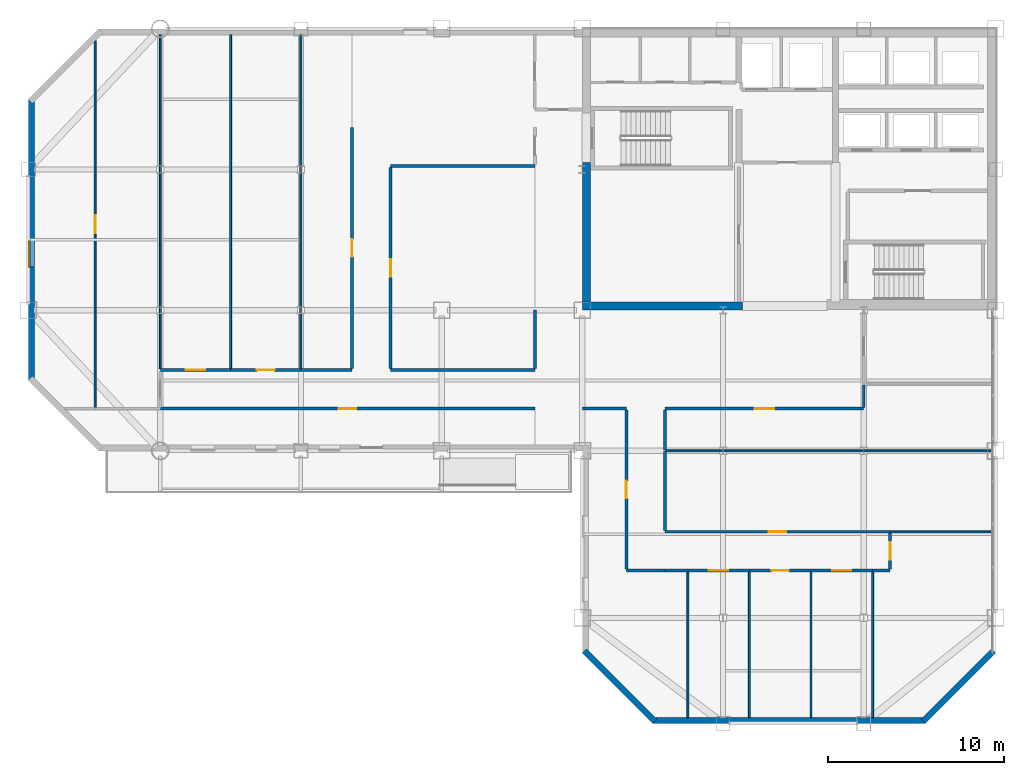
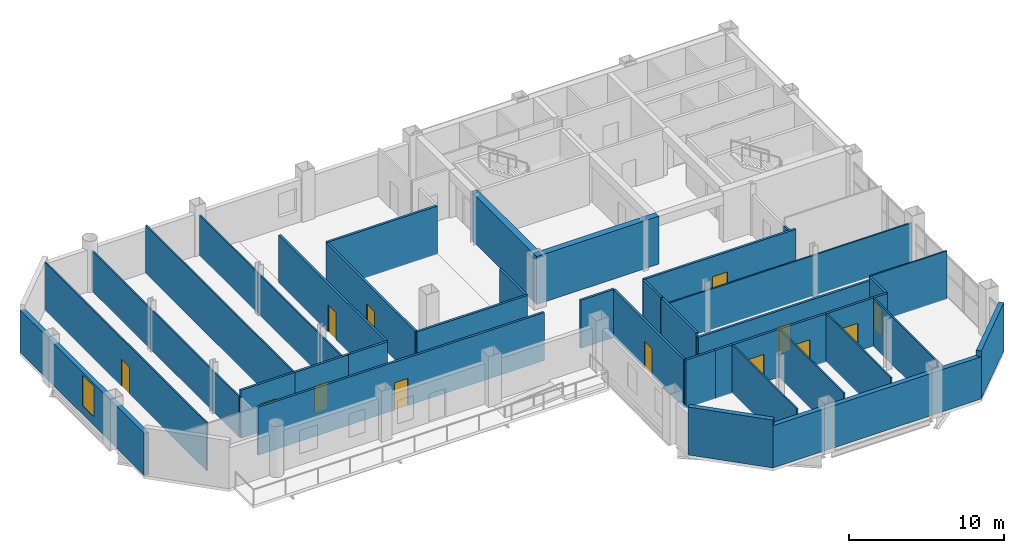
# One storey, part 8 of 12: 39 walls, 13 doors, 1 window, 14 openings.
"""IFC4 building model written with IfcOpenShell, lengths in metres."""

from ifc_helpers import new_model, si_unit, direction, frame, frame_2d, origin, place, context, subcontext, project, spatial, rectangle, extrude, material, layer, layer_set, type_object, element, fill, save


model = new_model("IFC4")

# Units and contexts
model_context = context("Model", 3, precision=1e-05, world=origin(), true_north=direction((0.0, 1.0)))
body_context = subcontext(model_context, "Body", "Model", "MODEL_VIEW")
ifc_project = project(units=[si_unit("LENGTHUNIT", "METRE"), si_unit("AREAUNIT", "SQUARE_METRE"), si_unit("VOLUMEUNIT", "CUBIC_METRE"), si_unit("PLANEANGLEUNIT", "RADIAN"), si_unit("MASSUNIT", "GRAM", prefix="KILO")], contexts=[model_context])

# Site, building, storey
site_placement = place(None, origin())
site = spatial("IfcSite", under=ifc_project, at=site_placement, CompositionType="ELEMENT")
building_placement = place(site_placement, origin())
building = spatial("IfcBuilding", under=site, at=building_placement, Name="Qianrong Seaharbour Tower", CompositionType="ELEMENT")
storey_placement = place(building_placement, frame((0.0, 0.0, 205.800048828125)))
storey = spatial("IfcBuildingStorey", under=building, at=storey_placement, Name="L49", CompositionType="ELEMENT", Elevation=205.800048828125)

# Walls
ifc_material_1 = material(Name="Concrete C60/75", Category="concrete")
ifc_layer_1 = layer(ifc_material_1, 0.4599609375)
ifc_layer_set_1 = layer_set([ifc_layer_1], Name="Concrete C60/75")
wall_type_1 = type_object("IfcWallType", Name="WALL-CORE-460", PredefinedType="SHEAR", material=ifc_layer_set_1)
wall_1_placement = place(storey_placement, frame((40.72998046875, 36.4599609375, 0.0), z_axis=(0.0, 0.0, 1.0), x_axis=(0.0, 1.0, 0.0)))
element("IfcWall", 1, at=wall_1_placement, inside=storey, type_object=wall_type_1, Name="L49 West Core Shear Wall South", PredefinedType="SHEAR", context=body_context, shape_type="SweptSolid", body=[
    extrude(rectangle(XDim=7.93994140625, YDim=0.4599609375, at=frame_2d((3.969970703125, 0.0))), origin(), (0.0, 0.0, 1.0), 3.77490234375),
])
wall_2_placement = place(storey_placement, frame((40.5, 36.22998046875, 0.0), z_axis=(0.0, 0.0, 1.0), x_axis=(1.0, 0.0, 0.0)))
element("IfcWall", 2, at=wall_2_placement, inside=storey, type_object=wall_type_1, Name="L49 South Core Shear Wall S1", PredefinedType="SHEAR", context=body_context, shape_type="SweptSolid", body=[
    extrude(rectangle(XDim=9.10009765625, YDim=0.4599609375, at=frame_2d((4.550048828125, 0.0))), origin(), (0.0, 0.0, 1.0), 3.77490234375),
])
ifc_material_2 = material(Name="Fire-rated acoustic gypsum board partition")
ifc_layer_2 = layer(ifc_material_2, 0.1650390625)
ifc_layer_set_2 = layer_set([ifc_layer_2], Name="Fire-rated acoustic gypsum board partition")
wall_type_2 = type_object("IfcWallType", Name="WALL-CORR-PART-165", PredefinedType="PARTITIONING", material=ifc_layer_set_2)
wall_3_placement = place(storey_placement, frame((29.60009765625, 32.60009765625, 0.0), z_axis=(0.0, 0.0, 1.0), x_axis=(1.0, 0.0, 0.0)))
element("IfcWall", 3, at=wall_3_placement, inside=storey, type_object=wall_type_2, Name="L49 Interior Partition Wall 013", PredefinedType="PARTITIONING", context=body_context, shape_type="SweptSolid", body=[
    extrude(rectangle(XDim=8.199951171875, YDim=0.1650390625, at=frame_2d((4.10009765625, 0.0))), origin(), (0.0, 0.0, 1.0), 3.77490234375),
])

# Wall, opening, door
wall_4_placement = place(storey_placement, frame((16.5, 32.60009765625, 0.0), z_axis=(0.0, 0.0, 1.0), x_axis=(1.0, 0.0, 0.0)))
wall_4 = element("IfcWall", 4, at=wall_4_placement, inside=storey, type_object=wall_type_2, Name="L49 Interior Partition Wall 015", PredefinedType="PARTITIONING", context=body_context, shape_type="SweptSolid", body=[
    extrude(rectangle(XDim=4.0, YDim=0.1650390625, at=frame_2d((2.0, 0.0))), origin(), (0.0, 0.0, 1.0), 3.77490234375),
])
opening_1_placement = place(wall_4_placement, frame((1.449951171875, 0.0, 0.0)))
opening_1 = element("IfcOpeningElement", 5, at=opening_1_placement, cuts=wall_4, Name="Opening DM-01", PredefinedType="OPENING", context=body_context, shape_type="SweptSolid", body=[
    extrude(rectangle(XDim=1.10009765625, YDim=2.199951171875, at=frame_2d((0.550048828125, 1.10009765625))), frame((0.0, 0.092529296875, 0.0), z_axis=(0.0, -1.0, 0.0), x_axis=(1.0, 0.0, 0.0)), (0.0, 0.0, 1.0), 0.18505859375),
])
ifc_material_3 = material(Name="Acoustic timber and galvanized steel fire door assembly", Category="steel")
door_type_1 = type_object("IfcDoorType", Name="DOOR-MEET-1100x2200", OperationType="NOTDEFINED", PredefinedType="DOOR", material=ifc_material_3)
door_1_placement = place(opening_1_placement, origin())
door_1 = element("IfcDoor", 6, at=door_1_placement, inside=storey, type_object=door_type_1, Name="L49 Meeting Room 3 Door", OperationType="SINGLE_SWING_RIGHT", OverallHeight=2.199951171875, OverallWidth=1.10009765625, PredefinedType="DOOR", context=body_context, shape_type="SweptSolid", body=[
    extrude(rectangle(XDim=1.10009765625, YDim=2.199951171875, at=frame_2d((0.550048828125, 1.10009765625))), frame((0.0, 0.02490234375, 0.0), z_axis=(0.0, -1.0, 0.0), x_axis=(1.0, 0.0, 0.0)), (0.0, 0.0, 1.0), 0.050048828125),
])
fill(opening_1, door_1)

wall_5_placement = place(storey_placement, frame((20.5, 32.60009765625, 0.0), z_axis=(0.0, 0.0, 1.0), x_axis=(1.0, 0.0, 0.0)))
wall_5 = element("IfcWall", 7, at=wall_5_placement, inside=storey, type_object=wall_type_2, Name="L49 Interior Partition Wall 016", PredefinedType="PARTITIONING", context=body_context, shape_type="SweptSolid", body=[
    extrude(rectangle(XDim=4.0, YDim=0.1650390625, at=frame_2d((2.0, 0.0))), origin(), (0.0, 0.0, 1.0), 3.77490234375),
])
opening_2_placement = place(wall_5_placement, frame((1.5, 0.0, 0.0)))
opening_2 = element("IfcOpeningElement", 8, at=opening_2_placement, cuts=wall_5, Name="Opening DO-01", PredefinedType="OPENING", context=body_context, shape_type="SweptSolid", body=[
    extrude(rectangle(XDim=1.0, YDim=2.14990234375, at=frame_2d((0.5, 1.074951171875))), frame((0.0, 0.092529296875, 0.0), z_axis=(0.0, -1.0, 0.0), x_axis=(1.0, 0.0, 0.0)), (0.0, 0.0, 1.0), 0.18505859375),
])
door_type_2 = type_object("IfcDoorType", Name="DOOR-OFFICE-1000x2150", OperationType="NOTDEFINED", PredefinedType="DOOR", material=ifc_material_3)
door_2_placement = place(opening_2_placement, origin())
door_2 = element("IfcDoor", 9, at=door_2_placement, inside=storey, type_object=door_type_2, Name="L49 Executive Office 4 Door", OperationType="SINGLE_SWING_LEFT", OverallHeight=2.14990234375, OverallWidth=1.0, PredefinedType="DOOR", context=body_context, shape_type="SweptSolid", body=[
    extrude(rectangle(XDim=1.0, YDim=2.14990234375, at=frame_2d((0.5, 1.074951171875))), frame((0.0, 0.02490234375, 0.0), z_axis=(0.0, -1.0, 0.0), x_axis=(1.0, 0.0, 0.0)), (0.0, 0.0, 1.0), 0.050048828125),
])
fill(opening_2, door_2)

# Wall
wall_6_placement = place(storey_placement, frame((24.5, 32.60009765625, 0.0), z_axis=(0.0, 0.0, 1.0), x_axis=(1.0, 0.0, 0.0)))
element("IfcWall", 10, at=wall_6_placement, inside=storey, type_object=wall_type_2, Name="L49 Interior Partition Wall 017", PredefinedType="PARTITIONING", context=body_context, shape_type="SweptSolid", body=[
    extrude(rectangle(XDim=2.89990234375, YDim=0.1650390625, at=frame_2d((1.449951171875, 0.0))), origin(), (0.0, 0.0, 1.0), 3.77490234375),
])

# Wall, opening, door
wall_7_placement = place(storey_placement, frame((37.800048828125, 30.39990234375, 0.0), z_axis=(0.0, 0.0, 1.0), x_axis=(-1.0, 0.0, 0.0)))
wall_7 = element("IfcWall", 11, at=wall_7_placement, inside=storey, type_object=wall_type_2, Name="L49 Interior Partition Wall 018", PredefinedType="PARTITIONING", context=body_context, shape_type="SweptSolid", body=[
    extrude(rectangle(XDim=21.300048828125, YDim=0.1650390625, at=frame_2d((10.64990234375, 0.0))), origin(), (0.0, 0.0, 1.0), 3.77490234375),
])
opening_3_placement = place(wall_7_placement, frame((10.14990234375, 0.0, 0.0)))
opening_3 = element("IfcOpeningElement", 12, at=opening_3_placement, cuts=wall_7, Name="Opening DO-01", PredefinedType="OPENING", context=body_context, shape_type="SweptSolid", body=[
    extrude(rectangle(XDim=1.0, YDim=2.14990234375, at=frame_2d((0.5, 1.074951171875))), frame((0.0, 0.092529296875, 0.0), z_axis=(0.0, -1.0, 0.0), x_axis=(1.0, 0.0, 0.0)), (0.0, 0.0, 1.0), 0.18505859375),
])
door_3_placement = place(opening_3_placement, origin())
door_3 = element("IfcDoor", 13, at=door_3_placement, inside=storey, type_object=door_type_2, Name="L49 Executive Office 1 Door", OperationType="SINGLE_SWING_RIGHT", OverallHeight=2.14990234375, OverallWidth=1.0, PredefinedType="DOOR", context=body_context, shape_type="SweptSolid", body=[
    extrude(rectangle(XDim=1.0, YDim=2.14990234375, at=frame_2d((0.5, 1.074951171875))), frame((0.0, 0.02490234375, 0.0), z_axis=(0.0, -1.0, 0.0), x_axis=(1.0, 0.0, 0.0)), (0.0, 0.0, 1.0), 0.050048828125),
])
fill(opening_3, door_3)

wall_8_placement = place(storey_placement, frame((29.60009765625, 44.12548828125, 0.0), z_axis=(0.0, 0.0, 1.0), x_axis=(0.0, -1.0, 0.0)))
wall_8 = element("IfcWall", 14, at=wall_8_placement, inside=storey, type_object=wall_type_2, Name="L49 Interior Partition Wall 019", PredefinedType="PARTITIONING", context=body_context, shape_type="SweptSolid", body=[
    extrude(rectangle(XDim=11.450927734375, YDim=0.1650390625, at=frame_2d((5.7255859375, 0.0))), origin(), (0.0, 0.0, 1.0), 3.77490234375),
])
opening_4_placement = place(wall_8_placement, frame((5.2255859375, 0.0, 0.0)))
opening_4 = element("IfcOpeningElement", 15, at=opening_4_placement, cuts=wall_8, Name="Opening DO-01", PredefinedType="OPENING", context=body_context, shape_type="SweptSolid", body=[
    extrude(rectangle(XDim=1.0, YDim=2.14990234375, at=frame_2d((0.5, 1.074951171875))), frame((0.0, 0.092529296875, 0.0), z_axis=(0.0, -1.0, 0.0), x_axis=(1.0, 0.0, 0.0)), (0.0, 0.0, 1.0), 0.18505859375),
])
door_4_placement = place(opening_4_placement, origin())
door_4 = element("IfcDoor", 16, at=door_4_placement, inside=storey, type_object=door_type_2, Name="L49 Open-Plan Office Door", OperationType="SINGLE_SWING_LEFT", OverallHeight=2.14990234375, OverallWidth=1.0, PredefinedType="DOOR", context=body_context, shape_type="SweptSolid", body=[
    extrude(rectangle(XDim=1.0, YDim=2.14990234375, at=frame_2d((0.5, 1.074951171875))), frame((0.0, 0.02490234375, 0.0), z_axis=(0.0, -1.0, 0.0), x_axis=(1.0, 0.0, 0.0)), (0.0, 0.0, 1.0), 0.050048828125),
])
fill(opening_4, door_4)

wall_9_placement = place(storey_placement, frame((27.39990234375, 32.674560546875, 0.0), z_axis=(0.0, 0.0, 1.0), x_axis=(0.0, 1.0, 0.0)))
wall_9 = element("IfcWall", 17, at=wall_9_placement, inside=storey, type_object=wall_type_2, Name="L49 Interior Partition Wall 020", PredefinedType="PARTITIONING", context=body_context, shape_type="SweptSolid", body=[
    extrude(rectangle(XDim=13.725341796875, YDim=0.1650390625, at=frame_2d((6.86279296875, 0.0))), origin(), (0.0, 0.0, 1.0), 3.77490234375),
])
opening_5_placement = place(wall_9_placement, frame((6.36279296875, 0.0, 0.0)))
opening_5 = element("IfcOpeningElement", 18, at=opening_5_placement, cuts=wall_9, Name="Opening DO-01", PredefinedType="OPENING", context=body_context, shape_type="SweptSolid", body=[
    extrude(rectangle(XDim=1.0, YDim=2.14990234375, at=frame_2d((0.5, 1.074951171875))), frame((0.0, 0.092529296875, 0.0), z_axis=(0.0, -1.0, 0.0), x_axis=(1.0, 0.0, 0.0)), (0.0, 0.0, 1.0), 0.18505859375),
])
door_5_placement = place(opening_5_placement, origin())
door_5 = element("IfcDoor", 19, at=door_5_placement, inside=storey, type_object=door_type_2, Name="L49 Executive Office 5 Door", OperationType="SINGLE_SWING_RIGHT", OverallHeight=2.14990234375, OverallWidth=1.0, PredefinedType="DOOR", context=body_context, shape_type="SweptSolid", body=[
    extrude(rectangle(XDim=1.0, YDim=2.14990234375, at=frame_2d((0.5, 1.074951171875))), frame((0.0, 0.02490234375, 0.0), z_axis=(0.0, -1.0, 0.0), x_axis=(1.0, 0.0, 0.0)), (0.0, 0.0, 1.0), 0.050048828125),
])
fill(opening_5, door_5)

# Walls
wall_10_placement = place(storey_placement, frame((37.800048828125, 44.199951171875, 0.0), z_axis=(0.0, 0.0, 1.0), x_axis=(-1.0, 0.0, 0.0)))
element("IfcWall", 20, at=wall_10_placement, inside=storey, type_object=wall_type_2, Name="L49 Interior Partition Wall 021", PredefinedType="PARTITIONING", context=body_context, shape_type="SweptSolid", body=[
    extrude(rectangle(XDim=8.199951171875, YDim=0.1650390625, at=frame_2d((4.10009765625, 0.0))), origin(), (0.0, 0.0, 1.0), 3.77490234375),
])
wall_11_placement = place(storey_placement, frame((37.800048828125, 32.674560546875, 0.0), z_axis=(0.0, 0.0, 1.0), x_axis=(0.0, 1.0, 0.0)))
element("IfcWall", 21, at=wall_11_placement, inside=storey, type_object=wall_type_2, Name="L49 Interior Partition Wall 022", PredefinedType="PARTITIONING", context=body_context, shape_type="SweptSolid", body=[
    extrude(rectangle(XDim=3.325439453125, YDim=0.1650390625, at=frame_2d((1.66259765625, 0.0))), origin(), (0.0, 0.0, 1.0), 3.77490234375),
])
wall_12_placement = place(storey_placement, frame((56.5, 31.7529296875, 0.0), z_axis=(0.0, 0.0, 1.0), x_axis=(0.0, -1.0, 0.0)))
element("IfcWall", 22, at=wall_12_placement, inside=storey, type_object=wall_type_2, Name="L49 Interior Partition Wall 023", PredefinedType="PARTITIONING", context=body_context, shape_type="SweptSolid", body=[
    extrude(rectangle(XDim=1.2783203125, YDim=0.1650390625, at=frame_2d((0.63916015625, 0.0))), origin(), (0.0, 0.0, 1.0), 3.178955078125),
])

# Wall, opening, door
wall_13_placement = place(storey_placement, frame((56.5, 30.39990234375, 0.0), z_axis=(0.0, 0.0, 1.0), x_axis=(-1.0, 0.0, 0.0)))
wall_13 = element("IfcWall", 23, at=wall_13_placement, inside=storey, type_object=wall_type_2, Name="L49 Interior Partition Wall 024", PredefinedType="PARTITIONING", context=body_context, shape_type="SweptSolid", body=[
    extrude(rectangle(XDim=11.300048828125, YDim=0.1650390625, at=frame_2d((5.64990234375, 0.0))), origin(), (0.0, 0.0, 1.0), 3.77490234375),
])
opening_6_placement = place(wall_13_placement, frame((5.10009765625, 0.0, 0.0)))
opening_6 = element("IfcOpeningElement", 24, at=opening_6_placement, cuts=wall_13, Name="Opening DM-01", PredefinedType="OPENING", context=body_context, shape_type="SweptSolid", body=[
    extrude(rectangle(XDim=1.10009765625, YDim=2.199951171875, at=frame_2d((0.550048828125, 1.10009765625))), frame((0.0, 0.092529296875, 0.0), z_axis=(0.0, -1.0, 0.0), x_axis=(1.0, 0.0, 0.0)), (0.0, 0.0, 1.0), 0.18505859375),
])
door_6_placement = place(opening_6_placement, origin())
door_6 = element("IfcDoor", 25, at=door_6_placement, inside=storey, type_object=door_type_1, Name="L49 Boardroom 2 Door", OperationType="SINGLE_SWING_RIGHT", OverallHeight=2.199951171875, OverallWidth=1.10009765625, PredefinedType="DOOR", context=body_context, shape_type="SweptSolid", body=[
    extrude(rectangle(XDim=1.10009765625, YDim=2.199951171875, at=frame_2d((0.550048828125, 1.10009765625))), frame((0.0, 0.02490234375, 0.0), z_axis=(0.0, -1.0, 0.0), x_axis=(1.0, 0.0, 0.0)), (0.0, 0.0, 1.0), 0.050048828125),
])
fill(opening_6, door_6)

# Walls
wall_14_placement = place(storey_placement, frame((43.0, 30.39990234375, 0.0), z_axis=(0.0, 0.0, 1.0), x_axis=(-1.0, 0.0, 0.0)))
element("IfcWall", 26, at=wall_14_placement, inside=storey, type_object=wall_type_2, Name="L49 Interior Partition Wall 026", PredefinedType="PARTITIONING", context=body_context, shape_type="SweptSolid", body=[
    extrude(rectangle(XDim=2.5, YDim=0.1650390625, at=frame_2d((1.25, 0.0))), origin(), (0.0, 0.0, 1.0), 3.77490234375),
])
wall_15_placement = place(storey_placement, frame((45.199951171875, 27.952880859375, 0.0), z_axis=(0.0, 0.0, 1.0), x_axis=(0.0, -1.0, 0.0)))
element("IfcWall", 27, at=wall_15_placement, inside=storey, type_object=wall_type_2, Name="L49 Interior Partition Wall 027", PredefinedType="PARTITIONING", context=body_context, shape_type="SweptSolid", body=[
    extrude(rectangle(XDim=4.478271484375, YDim=0.1650390625, at=frame_2d((2.2392578125, 0.0))), origin(), (0.0, 0.0, 1.0), 3.77490234375),
])
wall_16_placement = place(storey_placement, frame((45.199951171875, 30.325439453125, 0.0), z_axis=(0.0, 0.0, 1.0), x_axis=(0.0, -1.0, 0.0)))
element("IfcWall", 28, at=wall_16_placement, inside=storey, type_object=wall_type_2, Name="L49 Interior Partition Wall 028", PredefinedType="PARTITIONING", context=body_context, shape_type="SweptSolid", body=[
    extrude(rectangle(XDim=2.2783203125, YDim=0.1650390625, at=frame_2d((1.13916015625, 0.0))), origin(), (0.0, 0.0, 1.0), 3.77490234375),
])
wall_17_placement = place(storey_placement, frame((45.199951171875, 21.199951171875, 0.0), z_axis=(0.0, 0.0, 1.0), x_axis=(-1.0, 0.0, 0.0)))
element("IfcWall", 29, at=wall_17_placement, inside=storey, type_object=wall_type_2, Name="L49 Interior Partition Wall 029", PredefinedType="PARTITIONING", context=body_context, shape_type="SweptSolid", body=[
    extrude(rectangle(XDim=2.199951171875, YDim=0.1650390625, at=frame_2d((1.10009765625, 0.0))), origin(), (0.0, 0.0, 1.0), 3.77490234375),
])

# Wall, opening, door
wall_18_placement = place(storey_placement, frame((43.0, 21.2744140625, 0.0), z_axis=(0.0, 0.0, 1.0), x_axis=(0.0, 1.0, 0.0)))
wall_18 = element("IfcWall", 30, at=wall_18_placement, inside=storey, type_object=wall_type_2, Name="L49 Interior Partition Wall 030", PredefinedType="PARTITIONING", context=body_context, shape_type="SweptSolid", body=[
    extrude(rectangle(XDim=9.051025390625, YDim=0.1650390625, at=frame_2d((4.525390625, 0.0))), origin(), (0.0, 0.0, 1.0), 3.77490234375),
])
opening_7_placement = place(wall_18_placement, frame((4.025390625, 0.0, 0.0)))
opening_7 = element("IfcOpeningElement", 31, at=opening_7_placement, cuts=wall_18, Name="Opening DO-01", PredefinedType="OPENING", context=body_context, shape_type="SweptSolid", body=[
    extrude(rectangle(XDim=1.0, YDim=2.14990234375, at=frame_2d((0.5, 1.074951171875))), frame((0.0, 0.092529296875, 0.0), z_axis=(0.0, -1.0, 0.0), x_axis=(1.0, 0.0, 0.0)), (0.0, 0.0, 1.0), 0.18505859375),
])
door_7_placement = place(opening_7_placement, origin())
door_7 = element("IfcDoor", 32, at=door_7_placement, inside=storey, type_object=door_type_2, Name="L49 Executive Office 1 Door", OperationType="SINGLE_SWING_LEFT", OverallHeight=2.14990234375, OverallWidth=1.0, PredefinedType="DOOR", context=body_context, shape_type="SweptSolid", body=[
    extrude(rectangle(XDim=1.0, YDim=2.14990234375, at=frame_2d((0.5, 1.074951171875))), frame((0.0, 0.02490234375, 0.0), z_axis=(0.0, -1.0, 0.0), x_axis=(1.0, 0.0, 0.0)), (0.0, 0.0, 1.0), 0.050048828125),
])
fill(opening_7, door_7)

wall_19_placement = place(storey_placement, frame((45.199951171875, 23.39990234375, 0.0), z_axis=(0.0, 0.0, 1.0), x_axis=(1.0, 0.0, 0.0)))
wall_19 = element("IfcWall", 33, at=wall_19_placement, inside=storey, type_object=wall_type_2, Name="L49 Interior Partition Wall 031", PredefinedType="PARTITIONING", context=body_context, shape_type="SweptSolid", body=[
    extrude(rectangle(XDim=12.800048828125, YDim=0.1650390625, at=frame_2d((6.39990234375, 0.0))), origin(), (0.0, 0.0, 1.0), 3.467041015625),
])
opening_8_placement = place(wall_19_placement, frame((5.89990234375, 0.0, 0.0)))
opening_8 = element("IfcOpeningElement", 34, at=opening_8_placement, cuts=wall_19, Name="Opening DO-01", PredefinedType="OPENING", context=body_context, shape_type="SweptSolid", body=[
    extrude(rectangle(XDim=1.0, YDim=2.14990234375, at=frame_2d((0.5, 1.074951171875))), frame((0.0, 0.092529296875, 0.0), z_axis=(0.0, -1.0, 0.0), x_axis=(1.0, 0.0, 0.0)), (0.0, 0.0, 1.0), 0.18505859375),
])
door_8_placement = place(opening_8_placement, origin())
door_8 = element("IfcDoor", 35, at=door_8_placement, inside=storey, type_object=door_type_2, Name="L49 Executive Office 1 Door", OperationType="SINGLE_SWING_LEFT", OverallHeight=2.14990234375, OverallWidth=1.0, PredefinedType="DOOR", context=body_context, shape_type="SweptSolid", body=[
    extrude(rectangle(XDim=1.0, YDim=2.14990234375, at=frame_2d((0.5, 1.074951171875))), frame((0.0, 0.02490234375, 0.0), z_axis=(0.0, -1.0, 0.0), x_axis=(1.0, 0.0, 0.0)), (0.0, 0.0, 1.0), 0.050048828125),
])
fill(opening_8, door_8)

# Wall
wall_20_placement = place(storey_placement, frame((46.5, 21.199951171875, 0.0), z_axis=(0.0, 0.0, 1.0), x_axis=(-1.0, 0.0, 0.0)))
element("IfcWall", 36, at=wall_20_placement, inside=storey, type_object=wall_type_2, Name="L49 Interior Partition Wall 032", PredefinedType="PARTITIONING", context=body_context, shape_type="SweptSolid", body=[
    extrude(rectangle(XDim=1.300048828125, YDim=0.1650390625, at=frame_2d((0.64990234375, 0.0))), origin(), (0.0, 0.0, 1.0), 3.77490234375),
])

# Wall, opening, door
wall_21_placement = place(storey_placement, frame((50.0, 21.199951171875, 0.0), z_axis=(0.0, 0.0, 1.0), x_axis=(-1.0, 0.0, 0.0)))
wall_21 = element("IfcWall", 37, at=wall_21_placement, inside=storey, type_object=wall_type_2, Name="L49 Interior Partition Wall 033", PredefinedType="PARTITIONING", context=body_context, shape_type="SweptSolid", body=[
    extrude(rectangle(XDim=3.5, YDim=0.1650390625, at=frame_2d((1.75, 0.0))), origin(), (0.0, 0.0, 1.0), 3.77490234375),
])
opening_9_placement = place(wall_21_placement, frame((1.199951171875, 0.0, 0.0)))
opening_9 = element("IfcOpeningElement", 38, at=opening_9_placement, cuts=wall_21, Name="Opening DM-01", PredefinedType="OPENING", context=body_context, shape_type="SweptSolid", body=[
    extrude(rectangle(XDim=1.10009765625, YDim=2.199951171875, at=frame_2d((0.550048828125, 1.10009765625))), frame((0.0, 0.092529296875, 0.0), z_axis=(0.0, -1.0, 0.0), x_axis=(1.0, 0.0, 0.0)), (0.0, 0.0, 1.0), 0.18505859375),
])
door_9_placement = place(opening_9_placement, origin())
door_9 = element("IfcDoor", 39, at=door_9_placement, inside=storey, type_object=door_type_1, Name="L49 Meeting Room 2 Door", OperationType="SINGLE_SWING_RIGHT", OverallHeight=2.199951171875, OverallWidth=1.10009765625, PredefinedType="DOOR", context=body_context, shape_type="SweptSolid", body=[
    extrude(rectangle(XDim=1.10009765625, YDim=2.199951171875, at=frame_2d((0.550048828125, 1.10009765625))), frame((0.0, 0.02490234375, 0.0), z_axis=(0.0, -1.0, 0.0), x_axis=(1.0, 0.0, 0.0)), (0.0, 0.0, 1.0), 0.050048828125),
])
fill(opening_9, door_9)

wall_22_placement = place(storey_placement, frame((53.5, 21.199951171875, 0.0), z_axis=(0.0, 0.0, 1.0), x_axis=(-1.0, 0.0, 0.0)))
wall_22 = element("IfcWall", 40, at=wall_22_placement, inside=storey, type_object=wall_type_2, Name="L49 Interior Partition Wall 034", PredefinedType="PARTITIONING", context=body_context, shape_type="SweptSolid", body=[
    extrude(rectangle(XDim=3.5, YDim=0.1650390625, at=frame_2d((1.75, 0.0))), origin(), (0.0, 0.0, 1.0), 3.77490234375),
])
opening_10_placement = place(wall_22_placement, frame((1.25, 0.0, 0.0)))
opening_10 = element("IfcOpeningElement", 41, at=opening_10_placement, cuts=wall_22, Name="Opening DO-01", PredefinedType="OPENING", context=body_context, shape_type="SweptSolid", body=[
    extrude(rectangle(XDim=1.0, YDim=2.14990234375, at=frame_2d((0.5, 1.074951171875))), frame((0.0, 0.092529296875, 0.0), z_axis=(0.0, -1.0, 0.0), x_axis=(1.0, 0.0, 0.0)), (0.0, 0.0, 1.0), 0.18505859375),
])
door_10_placement = place(opening_10_placement, origin())
door_10 = element("IfcDoor", 42, at=door_10_placement, inside=storey, type_object=door_type_2, Name="L49 Executive Office 3 Door", OperationType="SINGLE_SWING_LEFT", OverallHeight=2.14990234375, OverallWidth=1.0, PredefinedType="DOOR", context=body_context, shape_type="SweptSolid", body=[
    extrude(rectangle(XDim=1.0, YDim=2.14990234375, at=frame_2d((0.5, 1.074951171875))), frame((0.0, 0.02490234375, 0.0), z_axis=(0.0, -1.0, 0.0), x_axis=(1.0, 0.0, 0.0)), (0.0, 0.0, 1.0), 0.050048828125),
])
fill(opening_10, door_10)

wall_23_placement = place(storey_placement, frame((57.0, 21.199951171875, 0.0), z_axis=(0.0, 0.0, 1.0), x_axis=(-1.0, 0.0, 0.0)))
wall_23 = element("IfcWall", 43, at=wall_23_placement, inside=storey, type_object=wall_type_2, Name="L49 Interior Partition Wall 035", PredefinedType="PARTITIONING", context=body_context, shape_type="SweptSolid", body=[
    extrude(rectangle(XDim=3.5, YDim=0.1650390625, at=frame_2d((1.75, 0.0))), origin(), (0.0, 0.0, 1.0), 3.77490234375),
])
opening_11_placement = place(wall_23_placement, frame((1.199951171875, 0.0, 0.0)))
opening_11 = element("IfcOpeningElement", 44, at=opening_11_placement, cuts=wall_23, Name="Opening DM-01", PredefinedType="OPENING", context=body_context, shape_type="SweptSolid", body=[
    extrude(rectangle(XDim=1.10009765625, YDim=2.199951171875, at=frame_2d((0.550048828125, 1.10009765625))), frame((0.0, 0.092529296875, 0.0), z_axis=(0.0, -1.0, 0.0), x_axis=(1.0, 0.0, 0.0)), (0.0, 0.0, 1.0), 0.18505859375),
])
door_11_placement = place(opening_11_placement, origin())
door_11 = element("IfcDoor", 45, at=door_11_placement, inside=storey, type_object=door_type_1, Name="L49 Meeting Room 4 Door", OperationType="SINGLE_SWING_RIGHT", OverallHeight=2.199951171875, OverallWidth=1.10009765625, PredefinedType="DOOR", context=body_context, shape_type="SweptSolid", body=[
    extrude(rectangle(XDim=1.10009765625, YDim=2.199951171875, at=frame_2d((0.550048828125, 1.10009765625))), frame((0.0, 0.02490234375, 0.0), z_axis=(0.0, -1.0, 0.0), x_axis=(1.0, 0.0, 0.0)), (0.0, 0.0, 1.0), 0.050048828125),
])
fill(opening_11, door_11)

wall_24_placement = place(storey_placement, frame((58.0, 23.325439453125, 0.0), z_axis=(0.0, 0.0, 1.0), x_axis=(0.0, -1.0, 0.0)))
wall_24 = element("IfcWall", 46, at=wall_24_placement, inside=storey, type_object=wall_type_2, Name="L49 Interior Partition Wall 036", PredefinedType="PARTITIONING", context=body_context, shape_type="SweptSolid", body=[
    extrude(rectangle(XDim=2.051025390625, YDim=0.1650390625, at=frame_2d((1.025390625, 0.0))), origin(), (0.0, 0.0, 1.0), 3.77490234375),
])
opening_12_placement = place(wall_24_placement, frame((0.525390625, 0.0, 0.0)))
opening_12 = element("IfcOpeningElement", 47, at=opening_12_placement, cuts=wall_24, Name="Opening DO-01", PredefinedType="OPENING", context=body_context, shape_type="SweptSolid", body=[
    extrude(rectangle(XDim=1.0, YDim=2.14990234375, at=frame_2d((0.5, 1.074951171875))), frame((0.0, 0.092529296875, 0.0), z_axis=(0.0, -1.0, 0.0), x_axis=(1.0, 0.0, 0.0)), (0.0, 0.0, 1.0), 0.18505859375),
])
door_12_placement = place(opening_12_placement, origin())
door_12 = element("IfcDoor", 48, at=door_12_placement, inside=storey, type_object=door_type_2, Name="L49 Executive Office 5 Door", OperationType="SINGLE_SWING_LEFT", OverallHeight=2.14990234375, OverallWidth=1.0, PredefinedType="DOOR", context=body_context, shape_type="SweptSolid", body=[
    extrude(rectangle(XDim=1.0, YDim=2.14990234375, at=frame_2d((0.5, 1.074951171875))), frame((0.0, 0.02490234375, 0.0), z_axis=(0.0, -1.0, 0.0), x_axis=(1.0, 0.0, 0.0)), (0.0, 0.0, 1.0), 0.050048828125),
])
fill(opening_12, door_12)

# Wall
wall_25_placement = place(storey_placement, frame((58.0, 21.199951171875, 0.0), z_axis=(0.0, 0.0, 1.0), x_axis=(-1.0, 0.0, 0.0)))
element("IfcWall", 49, at=wall_25_placement, inside=storey, type_object=wall_type_2, Name="L49 Interior Partition Wall 037", PredefinedType="PARTITIONING", context=body_context, shape_type="SweptSolid", body=[
    extrude(rectangle(XDim=1.0, YDim=0.1650390625, at=frame_2d((0.5, 0.0))), origin(), (0.0, 0.0, 1.0), 3.77490234375),
])

# Wall, opening, door
ifc_material_4 = material(Name="Demountable aluminium-framed acoustic office partition", Category="aluminium")
ifc_layer_3 = layer(ifc_material_4, 0.110107421875)
ifc_layer_set_3 = layer_set([ifc_layer_3], Name="Demountable aluminium-framed acoustic office partition")
wall_type_3 = type_object("IfcWallType", Name="WALL-DEMOUNT-110", PredefinedType="MOVABLE", material=ifc_layer_set_3)
wall_26_placement = place(storey_placement, frame((12.800048828125, 51.33056640625, 0.0), z_axis=(0.0, 0.0, 1.0), x_axis=(0.0, -1.0, 0.0)))
wall_26 = element("IfcWall", 50, at=wall_26_placement, inside=storey, type_object=wall_type_3, Name="L49 Interior Partition Wall 038", PredefinedType="MOVABLE", context=body_context, shape_type="SweptSolid", body=[
    extrude(rectangle(XDim=20.883544921875, YDim=0.110107421875, at=frame_2d((10.44189453125, 0.0))), origin(), (0.0, 0.0, 1.0), 3.77490234375),
])
opening_13_placement = place(wall_26_placement, frame((9.94189453125, 0.0, 0.0)))
opening_13 = element("IfcOpeningElement", 51, at=opening_13_placement, cuts=wall_26, Name="Opening DO-01", PredefinedType="OPENING", context=body_context, shape_type="SweptSolid", body=[
    extrude(rectangle(XDim=1.0, YDim=2.14990234375, at=frame_2d((0.5, 1.074951171875))), frame((0.0, 0.06494140625, 0.0), z_axis=(0.0, -1.0, 0.0), x_axis=(1.0, 0.0, 0.0)), (0.0, 0.0, 1.0), 0.130126953125),
])
door_13_placement = place(opening_13_placement, origin())
door_13 = element("IfcDoor", 52, at=door_13_placement, inside=storey, type_object=door_type_2, Name="L49 Executive Office 1 Door", OperationType="SINGLE_SWING_RIGHT", OverallHeight=2.14990234375, OverallWidth=1.0, PredefinedType="DOOR", context=body_context, shape_type="SweptSolid", body=[
    extrude(rectangle(XDim=1.0, YDim=2.14990234375, at=frame_2d((0.5, 1.074951171875))), frame((0.0, 0.02490234375, 0.0), z_axis=(0.0, -1.0, 0.0), x_axis=(1.0, 0.0, 0.0)), (0.0, 0.0, 1.0), 0.050048828125),
])
fill(opening_13, door_13)

# Walls
wall_27_placement = place(storey_placement, frame((16.5, 51.66796875, 0.0), z_axis=(0.0, 0.0, 1.0), x_axis=(0.0, -1.0, 0.0)))
element("IfcWall", 53, at=wall_27_placement, inside=storey, type_object=wall_type_3, Name="L49 Interior Partition Wall 040", PredefinedType="MOVABLE", context=body_context, shape_type="SweptSolid", body=[
    extrude(rectangle(XDim=18.993408203125, YDim=0.110107421875, at=frame_2d((9.49658203125, 0.0))), origin(), (0.0, 0.0, 1.0), 3.178955078125),
])
wall_28_placement = place(storey_placement, frame((20.5, 51.66796875, 0.0), z_axis=(0.0, 0.0, 1.0), x_axis=(0.0, -1.0, 0.0)))
element("IfcWall", 54, at=wall_28_placement, inside=storey, type_object=wall_type_3, Name="L49 Interior Partition Wall 042", PredefinedType="MOVABLE", context=body_context, shape_type="SweptSolid", body=[
    extrude(rectangle(XDim=18.993408203125, YDim=0.110107421875, at=frame_2d((9.49658203125, 0.0))), origin(), (0.0, 0.0, 1.0), 3.77490234375),
])
wall_29_placement = place(storey_placement, frame((24.5, 51.66796875, 0.0), z_axis=(0.0, 0.0, 1.0), x_axis=(0.0, -1.0, 0.0)))
element("IfcWall", 55, at=wall_29_placement, inside=storey, type_object=wall_type_3, Name="L49 Interior Partition Wall 043", PredefinedType="MOVABLE", context=body_context, shape_type="SweptSolid", body=[
    extrude(rectangle(XDim=18.993408203125, YDim=0.110107421875, at=frame_2d((9.49658203125, 0.0))), origin(), (0.0, 0.0, 1.0), 3.178955078125),
])
wall_30_placement = place(storey_placement, frame((45.199951171875, 28.0, 0.0), z_axis=(0.0, 0.0, 1.0), x_axis=(1.0, 0.0, 0.0)))
element("IfcWall", 56, at=wall_30_placement, inside=storey, type_object=wall_type_3, Name="L49 Interior Partition Wall 044", PredefinedType="MOVABLE", context=body_context, shape_type="SweptSolid", body=[
    extrude(rectangle(XDim=18.528076171875, YDim=0.110107421875, at=frame_2d((9.26416015625, 0.0))), origin(), (0.0, 0.0, 1.0), 3.178955078125),
])
wall_31_placement = place(storey_placement, frame((63.72802734375, 23.39990234375, 0.0), z_axis=(0.0, 0.0, 1.0), x_axis=(-1.0, 0.0, 0.0)))
element("IfcWall", 57, at=wall_31_placement, inside=storey, type_object=wall_type_3, Name="L49 Interior Partition Wall 045", PredefinedType="MOVABLE", context=body_context, shape_type="SweptSolid", body=[
    extrude(rectangle(XDim=5.72802734375, YDim=0.110107421875, at=frame_2d((2.864013671875, 0.0))), origin(), (0.0, 0.0, 1.0), 3.77490234375),
])
for number, where, z_axis, x_axis, name in (
    (58, (46.5, 21.12548828125, 0.0), (0.0, 0.0, 1.0), (0.0, -1.0, 0.0), "L49 Interior Partition Wall 047"),
    (59, (50.0, 21.12548828125, 0.0), (0.0, 0.0, 1.0), (0.0, -1.0, 0.0), "L49 Interior Partition Wall 048"),
    (60, (53.5, 21.12548828125, 0.0), (0.0, 0.0, 1.0), (0.0, -1.0, 0.0), "L49 Interior Partition Wall 049"),
    (61, (57.0, 21.12548828125, 0.0), (0.0, 0.0, 1.0), (0.0, -1.0, 0.0), "L49 Interior Partition Wall 050"),
):
    element("IfcWall", number, at=place(storey_placement, frame(where, z_axis=z_axis, x_axis=x_axis)), inside=storey, type_object=wall_type_3, Name=name, PredefinedType="MOVABLE", context=body_context, shape_type="SweptSolid", body=[
        extrude(rectangle(XDim=8.29345703125, YDim=0.110107421875, at=frame_2d((4.146728515625, 0.0))), origin(), (0.0, 0.0, 1.0), 3.77490234375),
    ])

# Wall, opening, window
ifc_material_5 = material(Name="Unitised buff brick on Precast concrete C45/55", Category="masonry")
ifc_layer_4 = layer(ifc_material_5, 0.340087890625)
ifc_layer_set_4 = layer_set([ifc_layer_4], Name="Unitised buff brick on Precast concrete C45/55")
wall_type_4 = type_object("IfcWallType", Name="WALL-EXT-BRICK-BUFF-340", PredefinedType="SOLIDWALL", material=ifc_layer_set_4)
wall_32_placement = place(storey_placement, frame((9.169921875, 32.0, 0.0), z_axis=(0.0, 0.0, 1.0), x_axis=(0.0, 1.0, 0.0)))
wall_32 = element("IfcWall", 62, at=wall_32_placement, inside=storey, type_object=wall_type_4, Name="L49 Exterior Masonry Facade Wall WEST_TIP", PredefinedType="SOLIDWALL", context=body_context, shape_type="SweptSolid", body=[
    extrude(rectangle(XDim=16.0, YDim=0.340087890625, at=frame_2d((8.0, 0.0))), origin(), (0.0, 0.0, 1.0), 3.324951171875),
])
opening_14_placement = place(wall_32_placement, frame((6.449951171875, 0.0, 0.699951171875)))
opening_14 = element("IfcOpeningElement", 63, at=opening_14_placement, cuts=wall_32, Name="Opening WN-08", PredefinedType="OPENING", context=body_context, shape_type="SweptSolid", body=[
    extrude(rectangle(XDim=1.5, YDim=2.39990234375, at=frame_2d((0.75, 1.199951171875))), frame((0.0, 0.18017578125, 0.0), z_axis=(0.0, -1.0, 0.0), x_axis=(1.0, 0.0, 0.0)), (0.0, 0.0, 1.0), 0.360107421875),
])
ifc_material_6 = material(Name="Insulated low-e double glazing in thermally broken aluminium 6063-T6 frame", Category="aluminium")
window_type = type_object("IfcWindowType", Name="WIN-PUNCH-1500x2400", PartitioningType="DOUBLE_PANEL_HORIZONTAL", PredefinedType="WINDOW", material=ifc_material_6)
window_placement = place(opening_14_placement, origin())
window = element("IfcWindow", 64, at=window_placement, inside=storey, type_object=window_type, Name="L49 Deep-Set Punched Window 03.02", OverallHeight=2.39990234375, OverallWidth=1.5, PartitioningType="DOUBLE_PANEL_HORIZONTAL", PredefinedType="WINDOW", context=body_context, shape_type="SweptSolid", body=[
    extrude(rectangle(XDim=1.5, YDim=2.39990234375, at=frame_2d((0.75, 1.199951171875))), frame((0.0, 0.150146484375, 0.0), z_axis=(0.0, -1.0, 0.0), x_axis=(1.0, 0.0, 0.0)), (0.0, 0.0, 1.0), 0.06005859375),
])
fill(opening_14, window)

# Walls
wall_33_placement = place(storey_placement, frame((63.8798828125, 16.6201171875, 0.0), z_axis=(0.0, 0.0, 1.0), x_axis=(-0.707106781187, -0.707106781187, 0.0)))
element("IfcWall", 65, at=wall_33_placement, inside=storey, type_object=wall_type_4, Name="L49 Exterior Masonry Facade Wall E07", PredefinedType="SOLIDWALL", context=body_context, shape_type="SweptSolid", body=[
    extrude(rectangle(XDim=5.65673828125, YDim=0.340087890625, at=frame_2d((2.828369140625, 0.0))), origin(), (0.0, 0.0, 1.0), 3.77490234375),
])
wall_34_placement = place(storey_placement, frame((60.0, 12.669921875, 0.0), z_axis=(0.0, 0.0, 1.0), x_axis=(-1.0, 0.0, 0.0)))
element("IfcWall", 66, at=wall_34_placement, inside=storey, type_object=wall_type_4, Name="L49 Exterior Masonry Facade Wall SOUTH_TIP", PredefinedType="SOLIDWALL", context=body_context, shape_type="SweptSolid", body=[
    extrude(rectangle(XDim=15.5, YDim=0.340087890625, at=frame_2d((7.75, 0.0))), origin(), (0.0, 0.0, 1.0), 3.324951171875),
])
wall_35_placement = place(storey_placement, frame((44.6201171875, 12.6201171875, 0.0), z_axis=(0.0, 0.0, 1.0), x_axis=(-0.707106781187, 0.707106781187, 0.0)))
element("IfcWall", 67, at=wall_35_placement, inside=storey, type_object=wall_type_4, Name="L49 Exterior Masonry Facade Wall E09", PredefinedType="SOLIDWALL", context=body_context, shape_type="SweptSolid", body=[
    extrude(rectangle(XDim=5.65673828125, YDim=0.340087890625, at=frame_2d((2.828369140625, 0.0))), origin(), (0.0, 0.0, 1.0), 3.77490234375),
])

save(model, "model.ifc")
